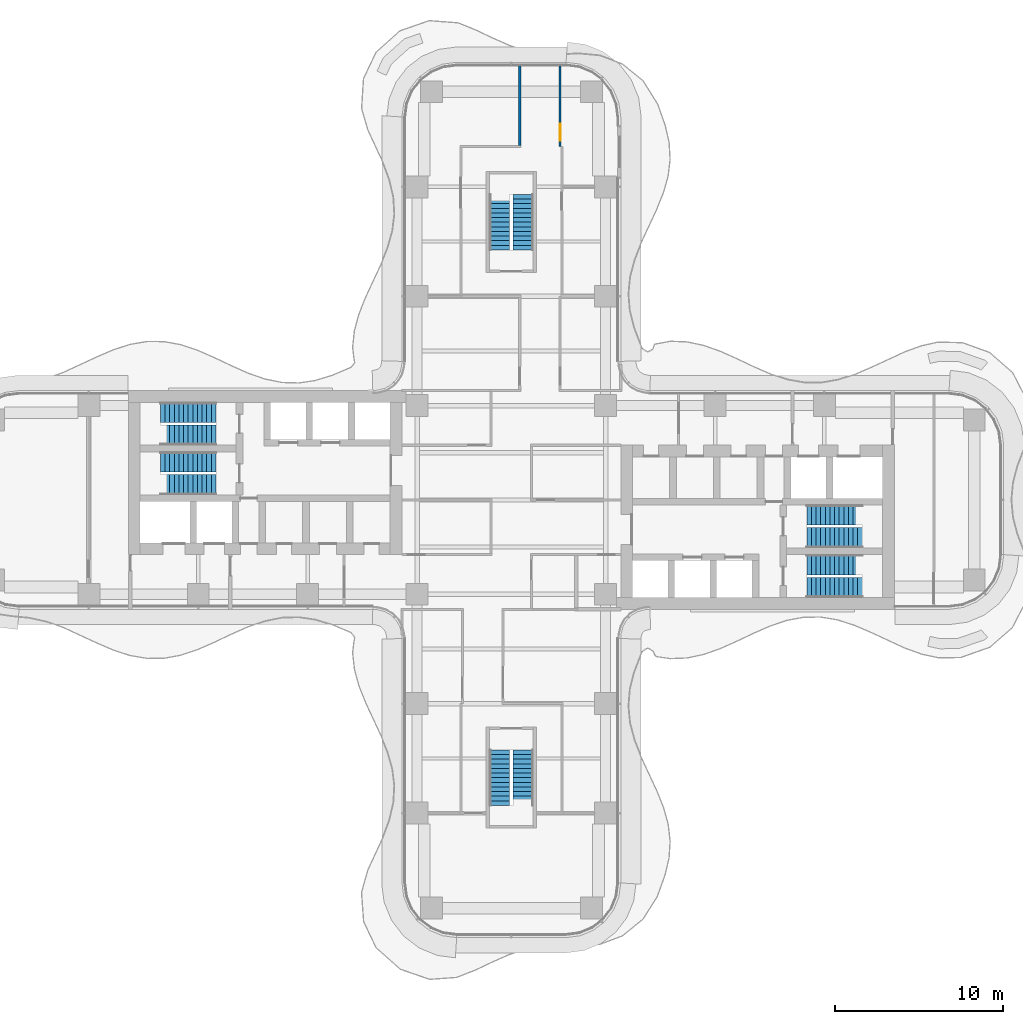
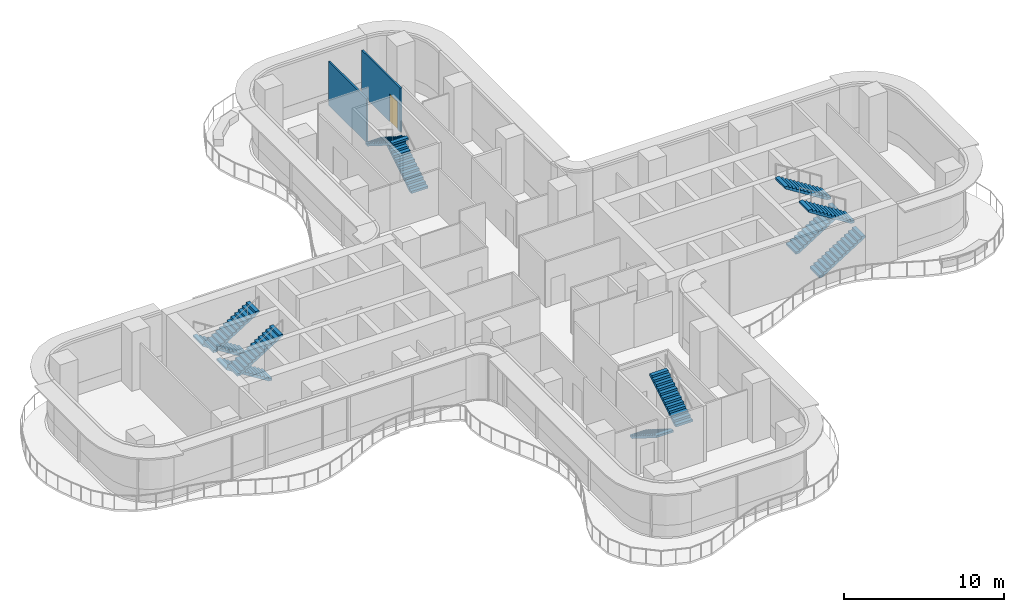
# One storey, part 18 of 20: 12 stair flights, 2 walls, 1 door, 1 opening, 6 elements without a shape of their own.
"""IFC4 building model written with IfcOpenShell, lengths in metres."""

from ifc_helpers import new_model, si_unit, direction, frame, frame_2d, origin, place, context, subcontext, project, spatial, polyline, rectangle, outline, extrude, source, transform, mapped, material, layer, layer_set, type_object, element, fill, aggregate, save


model = new_model("IFC4")

# Units and contexts
model_context = context("Model", 3, precision=1e-05, world=origin(), true_north=direction((0.0, 1.0)))
body_context = subcontext(model_context, "Body", "Model", "MODEL_VIEW")
ifc_project = project(units=[si_unit("LENGTHUNIT", "METRE"), si_unit("AREAUNIT", "SQUARE_METRE"), si_unit("VOLUMEUNIT", "CUBIC_METRE"), si_unit("PLANEANGLEUNIT", "RADIAN"), si_unit("MASSUNIT", "GRAM", prefix="KILO")], contexts=[model_context])

# Site, building, storey
site_placement = place(None, origin())
site = spatial("IfcSite", under=ifc_project, at=site_placement, CompositionType="ELEMENT")
building_placement = place(site_placement, origin())
building = spatial("IfcBuilding", under=site, at=building_placement, Name="Trellis Farm Tower", CompositionType="ELEMENT")
storey_placement = place(building_placement, frame((0.0, 0.0, 133.5)))
storey = spatial("IfcBuildingStorey", under=building, at=storey_placement, Name="L28", CompositionType="ELEMENT", Elevation=133.5)

# Wall
ifc_material_1 = material(Name="Plasterboard on steel studs, mineral wool", Category="steel")
ifc_layer = layer(ifc_material_1, 0.125)
ifc_layer_set = layer_set([ifc_layer], Name="PARTITION 125 STUD EI 60")
wall_type = type_object("IfcWallType", Name="PARTITION 125 STUD EI 60", PredefinedType="PARTITIONING", material=ifc_layer_set)
shared_shape_1 = source(origin(), body_context, "Body", "SweptSolid", [
    extrude(rectangle(XDim=4.737548828125, YDim=0.125, at=frame_2d((2.36865234375, 0.0))), origin(), (0.0, 0.0, 1.0), 3.330078125),
])
wall_1_placement = place(storey_placement, frame((0.5, 25.800048828125, 0.0), z_axis=(0.0, 0.0, 1.0), x_axis=(0.0, -1.0, 0.0)))
element("IfcWall", 1, at=wall_1_placement, inside=storey, type_object=wall_type, Name="Partition PW1", PredefinedType="PARTITIONING", context=body_context, shape_type="MappedRepresentation", body=[
    mapped(shared_shape_1, transform((0.0, 0.0, 0.0))),
])

# Wall, opening, door
shared_shape_2 = source(origin(), body_context, "Body", "SweptSolid", [
    extrude(rectangle(XDim=4.800048828125, YDim=0.125, at=frame_2d((2.39990234375, 0.0))), origin(), (0.0, 0.0, 1.0), 3.330078125),
])
wall_2_placement = place(storey_placement, frame((2.89990234375, 25.800048828125, 0.0), z_axis=(0.0, 0.0, 1.0), x_axis=(0.0, -1.0, 0.0)))
wall_2 = element("IfcWall", 2, at=wall_2_placement, inside=storey, type_object=wall_type, Name="Partition PW1", PredefinedType="PARTITIONING", context=body_context, shape_type="MappedRepresentation", body=[
    mapped(shared_shape_2, transform((0.0, 0.0, 0.0))),
])
shared_shape_3 = source(origin(), body_context, "Body", "SweptSolid", [
    extrude(rectangle(XDim=1.0, YDim=2.10009765625, at=frame_2d((0.5, 1.050048828125))), frame((0.0, 0.072509765625, 0.0), z_axis=(0.0, -1.0, 0.0), x_axis=(1.0, 0.0, 0.0)), (0.0, 0.0, 1.0), 0.14501953125),
])
opening_placement = place(wall_2_placement, frame((3.449951171875, 0.0, 0.0)))
opening = element("IfcOpeningElement", 3, at=opening_placement, cuts=wall_2, Name="Opening D108", PredefinedType="OPENING", context=body_context, shape_type="MappedRepresentation", body=[
    mapped(shared_shape_3, transform((0.0, 0.0, 0.0))),
])
ifc_material_2 = material(Name="Fire-rated timber door leaf in a hollow metal frame", Category="wood")
door_type = type_object("IfcDoorType", Name="DOOR 1000x2100 FD30S", OperationType="NOTDEFINED", PredefinedType="DOOR", material=ifc_material_2)
shared_shape_4 = source(origin(), body_context, "Body", "SweptSolid", [
    extrude(rectangle(XDim=1.0, YDim=2.10009765625, at=frame_2d((0.5, 1.050048828125))), frame((0.0, 0.02490234375, 0.0), z_axis=(0.0, -1.0, 0.0), x_axis=(1.0, 0.0, 0.0)), (0.0, 0.0, 1.0), 0.050048828125),
])
door_placement = place(opening_placement, origin())
door = element("IfcDoor", 4, at=door_placement, inside=storey, type_object=door_type, Name="Door D108", OperationType="SINGLE_SWING_RIGHT", OverallHeight=2.10009765625, OverallWidth=1.0, PredefinedType="DOOR", context=body_context, shape_type="MappedRepresentation", body=[
    mapped(shared_shape_4, transform((0.0, 0.0, 0.0))),
])
fill(opening, door)

# Stair, stair flights
ifc_material_3 = material(Name="Concrete C50/60", Category="concrete")
stair_type = type_object("IfcStairType", Name="CORE EXIT STAIR 26 RISERS 173 MM", PredefinedType="HALF_TURN_STAIR", material=ifc_material_3)
placement = place(storey_placement, origin())
stair_1 = element("IfcStair", 5, at=placement, inside=storey, type_object=stair_type, Name="Exit stair N", PredefinedType="HALF_TURN_STAIR")
stair_flight_type = type_object("IfcStairFlightType", Name="STAIR FLIGHT 13 RISERS 173 MM", PredefinedType="STRAIGHT", material=ifc_material_3)
shared_shape_5 = source(origin(), body_context, "Body", "SweptSolid", [
    extrude(outline(polyline([(0.0, 0.0), (0.0, 0.173095703125), (0.27490234375, 0.173095703125), (0.27490234375, 0.34619140625), (0.550048828125, 0.34619140625), (0.550048828125, 0.519287109375), (0.824951171875, 0.519287109375), (0.824951171875, 0.6923828125), (1.10009765625, 0.6923828125), (1.10009765625, 0.865478515625), (1.375, 0.865478515625), (1.375, 1.03857421875), (1.64990234375, 1.03857421875), (1.64990234375, 1.21142578125), (1.925048828125, 1.21142578125), (1.925048828125, 1.384521484375), (2.199951171875, 1.384521484375), (2.199951171875, 1.5576171875), (2.47509765625, 1.5576171875), (2.47509765625, 1.730712890625), (2.75, 1.730712890625), (2.75, 1.90380859375), (3.02490234375, 1.90380859375), (3.02490234375, 2.076904296875), (3.300048828125, 2.076904296875), (3.300048828125, 2.25), (3.300048828125, 1.92333984375), (0.243896484375, 0.0), (0.0, 0.0)])), frame((0.0, 0.60009765625, 0.0), z_axis=(0.0, -1.0, 0.0), x_axis=(1.0, 0.0, 0.0)), (0.0, 0.0, 1.0), 1.199951171875),
])
stair_flight_1_placement = place(storey_placement, frame((0.699951171875, 14.85009765625, 0.0), z_axis=(0.0, 0.0, 1.0), x_axis=(0.0, 1.0, 0.0)))
stair_flight_1 = element("IfcStairFlight", 6, at=stair_flight_1_placement, type_object=stair_flight_type, Name="STN flight 1", NumberOfRisers=13, NumberOfTreads=12, PredefinedType="STRAIGHT", RiserHeight=0.173076923, TreadLength=0.275, context=body_context, shape_type="MappedRepresentation", body=[
    mapped(shared_shape_5, transform((0.0, 0.0, 0.0))),
])
stair_flight_2_placement = place(storey_placement, frame((-0.699951171875, 18.14990234375, 2.25), z_axis=(0.0, 0.0, 1.0), x_axis=(0.0, -1.0, 0.0)))
stair_flight_2 = element("IfcStairFlight", 7, at=stair_flight_2_placement, type_object=stair_flight_type, Name="STN flight 2", NumberOfRisers=13, NumberOfTreads=12, PredefinedType="STRAIGHT", RiserHeight=0.173076923, TreadLength=0.275, context=body_context, shape_type="MappedRepresentation", body=[
    mapped(shared_shape_5, transform((0.0, 0.0, 0.0))),
])
aggregate(stair_1, [stair_flight_1, stair_flight_2])

stair_2 = element("IfcStair", 8, at=placement, inside=storey, type_object=stair_type, Name="Exit stair S", PredefinedType="HALF_TURN_STAIR")
stair_flight_3_placement = place(storey_placement, frame((-0.699951171875, -14.85009765625, 0.0), z_axis=(0.0, 0.0, 1.0), x_axis=(0.0, -1.0, 0.0)))
stair_flight_3 = element("IfcStairFlight", 9, at=stair_flight_3_placement, type_object=stair_flight_type, Name="STS flight 1", NumberOfRisers=13, NumberOfTreads=12, PredefinedType="STRAIGHT", RiserHeight=0.173076923, TreadLength=0.275, context=body_context, shape_type="MappedRepresentation", body=[
    mapped(shared_shape_5, transform((0.0, 0.0, 0.0))),
])
stair_flight_4_placement = place(storey_placement, frame((0.699951171875, -18.14990234375, 2.25), z_axis=(0.0, 0.0, 1.0), x_axis=(0.0, 1.0, 0.0)))
stair_flight_4 = element("IfcStairFlight", 10, at=stair_flight_4_placement, type_object=stair_flight_type, Name="STS flight 2", NumberOfRisers=13, NumberOfTreads=12, PredefinedType="STRAIGHT", RiserHeight=0.173076923, TreadLength=0.275, context=body_context, shape_type="MappedRepresentation", body=[
    mapped(shared_shape_5, transform((0.0, 0.0, 0.0))),
])
aggregate(stair_2, [stair_flight_3, stair_flight_4])

stair_3 = element("IfcStair", 11, at=placement, inside=storey, type_object=stair_type, Name="Exit stair E1", PredefinedType="HALF_TURN_STAIR")
stair_flight_5_placement = place(storey_placement, frame((17.550048828125, -5.199951171875, 0.0), z_axis=(0.0, 0.0, 1.0), x_axis=(1.0, 0.0, 0.0)))
stair_flight_5 = element("IfcStairFlight", 12, at=stair_flight_5_placement, type_object=stair_flight_type, Name="STE1 flight 1", NumberOfRisers=13, NumberOfTreads=12, PredefinedType="STRAIGHT", RiserHeight=0.173076923, TreadLength=0.275, context=body_context, shape_type="MappedRepresentation", body=[
    mapped(shared_shape_5, transform((0.0, 0.0, 0.0))),
])
stair_flight_6_placement = place(storey_placement, frame((20.85009765625, -3.85009765625, 2.25), z_axis=(0.0, 0.0, 1.0), x_axis=(-1.0, 0.0, 0.0)))
stair_flight_6 = element("IfcStairFlight", 13, at=stair_flight_6_placement, type_object=stair_flight_type, Name="STE1 flight 2", NumberOfRisers=13, NumberOfTreads=12, PredefinedType="STRAIGHT", RiserHeight=0.173076923, TreadLength=0.275, context=body_context, shape_type="MappedRepresentation", body=[
    mapped(shared_shape_5, transform((0.0, 0.0, 0.0))),
])
aggregate(stair_3, [stair_flight_5, stair_flight_6])

stair_4 = element("IfcStair", 14, at=placement, inside=storey, type_object=stair_type, Name="Exit stair E2", PredefinedType="HALF_TURN_STAIR")
stair_flight_7_placement = place(storey_placement, frame((17.550048828125, -2.25, 0.0), z_axis=(0.0, 0.0, 1.0), x_axis=(1.0, 0.0, 0.0)))
stair_flight_7 = element("IfcStairFlight", 15, at=stair_flight_7_placement, type_object=stair_flight_type, Name="STE2 flight 1", NumberOfRisers=13, NumberOfTreads=12, PredefinedType="STRAIGHT", RiserHeight=0.173076923, TreadLength=0.275, context=body_context, shape_type="MappedRepresentation", body=[
    mapped(shared_shape_5, transform((0.0, 0.0, 0.0))),
])
stair_flight_8_placement = place(storey_placement, frame((20.85009765625, -0.89990234375, 2.25), z_axis=(0.0, 0.0, 1.0), x_axis=(-1.0, 0.0, 0.0)))
stair_flight_8 = element("IfcStairFlight", 16, at=stair_flight_8_placement, type_object=stair_flight_type, Name="STE2 flight 2", NumberOfRisers=13, NumberOfTreads=12, PredefinedType="STRAIGHT", RiserHeight=0.173076923, TreadLength=0.275, context=body_context, shape_type="MappedRepresentation", body=[
    mapped(shared_shape_5, transform((0.0, 0.0, 0.0))),
])
aggregate(stair_4, [stair_flight_7, stair_flight_8])

stair_5 = element("IfcStair", 17, at=placement, inside=storey, type_object=stair_type, Name="Exit stair W1", PredefinedType="HALF_TURN_STAIR")
stair_flight_9_placement = place(storey_placement, frame((-17.550048828125, 5.199951171875, 0.0), z_axis=(0.0, 0.0, 1.0), x_axis=(-1.0, 0.0, 0.0)))
stair_flight_9 = element("IfcStairFlight", 18, at=stair_flight_9_placement, type_object=stair_flight_type, Name="STW1 flight 1", NumberOfRisers=13, NumberOfTreads=12, PredefinedType="STRAIGHT", RiserHeight=0.173076923, TreadLength=0.275, context=body_context, shape_type="MappedRepresentation", body=[
    mapped(shared_shape_5, transform((0.0, 0.0, 0.0))),
])
stair_flight_10_placement = place(storey_placement, frame((-20.85009765625, 3.85009765625, 2.25), z_axis=(0.0, 0.0, 1.0), x_axis=(1.0, 0.0, 0.0)))
stair_flight_10 = element("IfcStairFlight", 19, at=stair_flight_10_placement, type_object=stair_flight_type, Name="STW1 flight 2", NumberOfRisers=13, NumberOfTreads=12, PredefinedType="STRAIGHT", RiserHeight=0.173076923, TreadLength=0.275, context=body_context, shape_type="MappedRepresentation", body=[
    mapped(shared_shape_5, transform((0.0, 0.0, 0.0))),
])
aggregate(stair_5, [stair_flight_9, stair_flight_10])

stair_6 = element("IfcStair", 20, at=placement, inside=storey, type_object=stair_type, Name="Exit stair W2", PredefinedType="HALF_TURN_STAIR")
stair_flight_11_placement = place(storey_placement, frame((-17.550048828125, 2.25, 0.0), z_axis=(0.0, 0.0, 1.0), x_axis=(-1.0, 0.0, 0.0)))
stair_flight_11 = element("IfcStairFlight", 21, at=stair_flight_11_placement, type_object=stair_flight_type, Name="STW2 flight 1", NumberOfRisers=13, NumberOfTreads=12, PredefinedType="STRAIGHT", RiserHeight=0.173076923, TreadLength=0.275, context=body_context, shape_type="MappedRepresentation", body=[
    mapped(shared_shape_5, transform((0.0, 0.0, 0.0))),
])
stair_flight_12_placement = place(storey_placement, frame((-20.85009765625, 0.89990234375, 2.25), z_axis=(0.0, 0.0, 1.0), x_axis=(1.0, 0.0, 0.0)))
stair_flight_12 = element("IfcStairFlight", 22, at=stair_flight_12_placement, type_object=stair_flight_type, Name="STW2 flight 2", NumberOfRisers=13, NumberOfTreads=12, PredefinedType="STRAIGHT", RiserHeight=0.173076923, TreadLength=0.275, context=body_context, shape_type="MappedRepresentation", body=[
    mapped(shared_shape_5, transform((0.0, 0.0, 0.0))),
])
aggregate(stair_6, [stair_flight_11, stair_flight_12])

save(model, "model.ifc")
